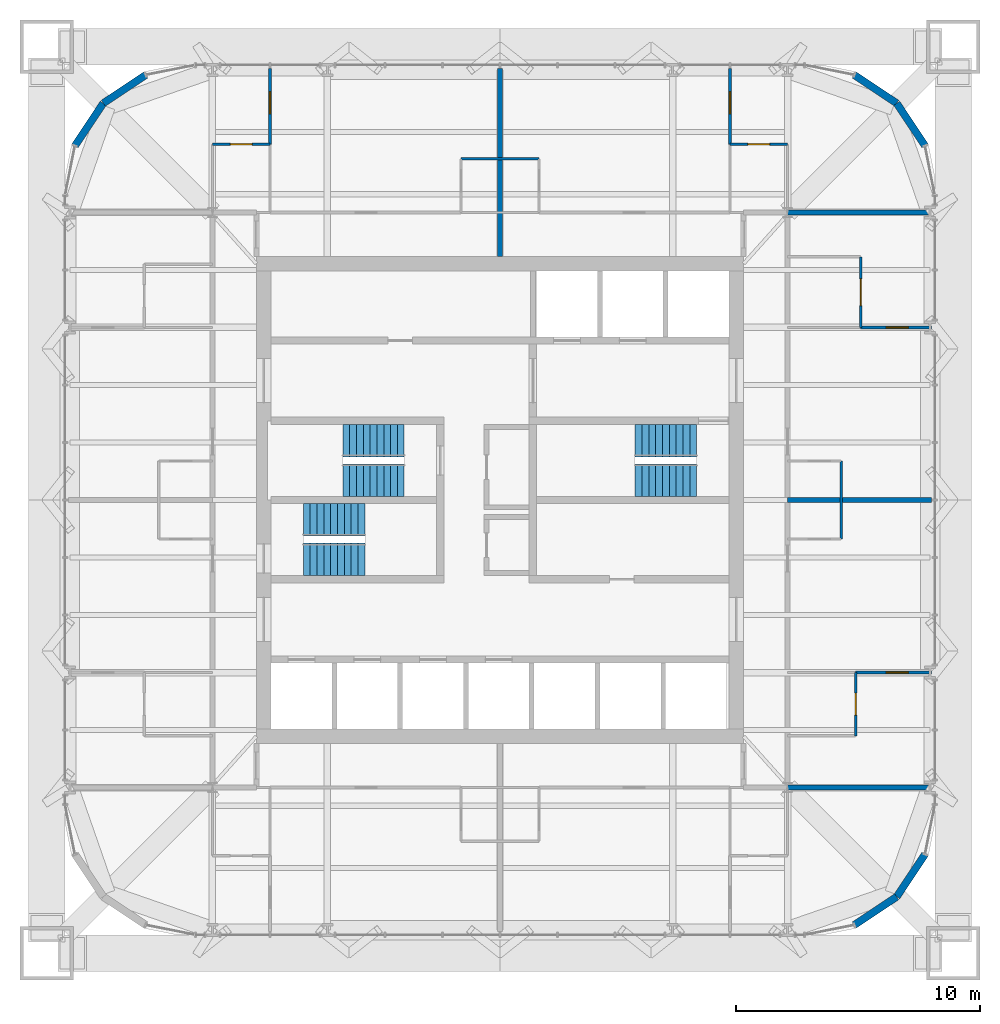
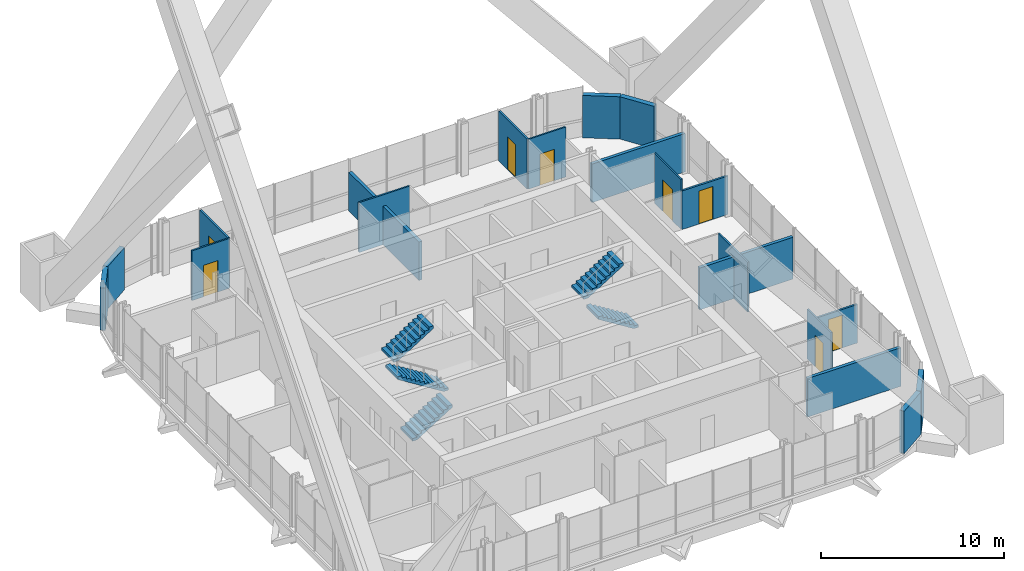
# One storey, part 22 of 23: 20 walls, 8 doors, 6 stair flights, 8 openings, 3 elements without a shape of their own.
"""IFC4 building model written with IfcOpenShell, lengths in metres."""

from ifc_helpers import new_model, si_unit, direction, frame, frame_2d, origin, place, context, subcontext, project, spatial, polyline, rectangle, outline, extrude, material, layer, layer_set, type_object, element, fill, aggregate, save


model = new_model("IFC4")

# Units and contexts
model_context = context("Model", 3, precision=1e-05, world=origin(), true_north=direction((0.0, 1.0)))
body_context = subcontext(model_context, "Body", "Model", "MODEL_VIEW")
ifc_project = project(units=[si_unit("LENGTHUNIT", "METRE"), si_unit("AREAUNIT", "SQUARE_METRE"), si_unit("VOLUMEUNIT", "CUBIC_METRE"), si_unit("PLANEANGLEUNIT", "RADIAN"), si_unit("MASSUNIT", "GRAM", prefix="KILO")], contexts=[model_context])

# Site, building, storey
site_placement = place(None, origin())
site = spatial("IfcSite", under=ifc_project, at=site_placement, CompositionType="ELEMENT")
building_placement = place(site_placement, origin())
building = spatial("IfcBuilding", under=site, at=building_placement, Name="Turquesa Mirador Hotel Tower", CompositionType="ELEMENT")
storey_placement = place(building_placement, frame((0.0, 0.0, 226.699951171875)))
storey = spatial("IfcBuildingStorey", under=building, at=storey_placement, Name="L61", CompositionType="ELEMENT", Elevation=226.699951171875)

# Wall
ifc_material_1 = material(Name="Gypsum board on steel studs", Category="steel")
ifc_layer_1 = layer(ifc_material_1, 0.10009765625)
ifc_layer_set_1 = layer_set([ifc_layer_1], Name="BATHROOM WALL 100")
wall_type_1 = type_object("IfcWallType", Name="BATHROOM WALL 100", PredefinedType="PARTITIONING", material=ifc_layer_set_1)
wall_1_placement = place(storey_placement, frame((53.39990234375, 59.0, 0.0), z_axis=(0.0, 0.0, 1.0), x_axis=(1.0, 0.0, 0.0)))
element("IfcWall", 1, at=wall_1_placement, inside=storey, type_object=wall_type_1, Name="Partition L61 034", PredefinedType="PARTITIONING", context=body_context, shape_type="SweptSolid", body=[
    extrude(rectangle(XDim=3.2001953125, YDim=0.10009765625, at=frame_2d((1.60009765625, 0.0))), origin(), (0.0, 0.0, 1.0), 3.330078125),
])

# Wall, opening, door
wall_2_placement = place(storey_placement, frame((43.199951171875, 59.60009765625, 0.0), z_axis=(0.0, 0.0, 1.0), x_axis=(1.0, 0.0, 0.0)))
wall_2 = element("IfcWall", 2, at=wall_2_placement, inside=storey, type_object=wall_type_1, Name="Partition L61 035", PredefinedType="PARTITIONING", context=body_context, shape_type="SweptSolid", body=[
    extrude(rectangle(XDim=2.360107421875, YDim=0.10009765625, at=frame_2d((1.18017578125, 0.0))), origin(), (0.0, 0.0, 1.0), 3.330078125),
])
opening_1_placement = place(wall_2_placement, frame((0.72998046875, 0.0, 0.0)))
opening_1 = element("IfcOpeningElement", 3, at=opening_1_placement, cuts=wall_2, Name="Opening D02", PredefinedType="OPENING", context=body_context, shape_type="SweptSolid", body=[
    extrude(rectangle(XDim=0.89990234375, YDim=2.10009765625, at=frame_2d((0.449951171875, 1.050048828125))), frame((0.0, 0.06005859375, 0.0), z_axis=(0.0, -1.0, 0.0), x_axis=(1.0, 0.0, 0.0)), (0.0, 0.0, 1.0), 0.1201171875),
])
ifc_material_2 = material(Name="Timber veneered door", Category="wood")
door_type_1 = type_object("IfcDoorType", Name="DOOR 900X2100 EN-SUITE", OperationType="SINGLE_SWING_RIGHT", PredefinedType="DOOR", material=ifc_material_2)
door_1_placement = place(opening_1_placement, origin())
door_1 = element("IfcDoor", 4, at=door_1_placement, inside=storey, type_object=door_type_1, Name="Door 6101B", OperationType="SINGLE_SWING_RIGHT", OverallHeight=2.10009765625, OverallWidth=0.89990234375, PredefinedType="DOOR", context=body_context, shape_type="SweptSolid", body=[
    extrude(rectangle(XDim=0.89990234375, YDim=2.10009765625, at=frame_2d((0.449951171875, 1.050048828125))), frame((0.0, 0.02490234375, 0.0), z_axis=(0.0, -1.0, 0.0), x_axis=(1.0, 0.0, 0.0)), (0.0, 0.0, 1.0), 0.050048828125),
])
fill(opening_1, door_1)

wall_3_placement = place(storey_placement, frame((64.43994140625, 59.60009765625, 0.0), z_axis=(0.0, 0.0, 1.0), x_axis=(1.0, 0.0, 0.0)))
wall_3 = element("IfcWall", 5, at=wall_3_placement, inside=storey, type_object=wall_type_1, Name="Partition L61 036", PredefinedType="PARTITIONING", context=body_context, shape_type="SweptSolid", body=[
    extrude(rectangle(XDim=2.360107421875, YDim=0.10009765625, at=frame_2d((1.18017578125, 0.0))), origin(), (0.0, 0.0, 1.0), 3.330078125),
])
opening_2_placement = place(wall_3_placement, frame((0.72998046875, 0.0, 0.0)))
opening_2 = element("IfcOpeningElement", 6, at=opening_2_placement, cuts=wall_3, Name="Opening D02", PredefinedType="OPENING", context=body_context, shape_type="SweptSolid", body=[
    extrude(rectangle(XDim=0.89990234375, YDim=2.10009765625, at=frame_2d((0.449951171875, 1.050048828125))), frame((0.0, 0.06005859375, 0.0), z_axis=(0.0, -1.0, 0.0), x_axis=(1.0, 0.0, 0.0)), (0.0, 0.0, 1.0), 0.1201171875),
])
door_2_placement = place(opening_2_placement, origin())
door_2 = element("IfcDoor", 7, at=door_2_placement, inside=storey, type_object=door_type_1, Name="Door 6102B", OperationType="SINGLE_SWING_RIGHT", OverallHeight=2.10009765625, OverallWidth=0.89990234375, PredefinedType="DOOR", context=body_context, shape_type="SweptSolid", body=[
    extrude(rectangle(XDim=0.89990234375, YDim=2.10009765625, at=frame_2d((0.449951171875, 1.050048828125))), frame((0.0, 0.02490234375, 0.0), z_axis=(0.0, -1.0, 0.0), x_axis=(1.0, 0.0, 0.0)), (0.0, 0.0, 1.0), 0.050048828125),
])
fill(opening_2, door_2)

# Wall
wall_4_placement = place(storey_placement, frame((69.0, 43.39990234375, 0.0), z_axis=(0.0, 0.0, 1.0), x_axis=(0.0, 1.0, 0.0)))
element("IfcWall", 8, at=wall_4_placement, inside=storey, type_object=wall_type_1, Name="Partition L61 066", PredefinedType="PARTITIONING", context=body_context, shape_type="SweptSolid", body=[
    extrude(rectangle(XDim=3.2001953125, YDim=0.10009765625, at=frame_2d((1.60009765625, 0.0))), origin(), (0.0, 0.0, 1.0), 3.330078125),
])

# Wall, opening, door
wall_5_placement = place(storey_placement, frame((69.60009765625, 35.320068359375, 0.0), z_axis=(0.0, 0.0, 1.0), x_axis=(0.0, 1.0, 0.0)))
wall_5 = element("IfcWall", 9, at=wall_5_placement, inside=storey, type_object=wall_type_1, Name="Partition L61 067", PredefinedType="PARTITIONING", context=body_context, shape_type="SweptSolid", body=[
    extrude(rectangle(XDim=2.599853515625, YDim=0.10009765625, at=frame_2d((1.2998046875, 0.0))), origin(), (0.0, 0.0, 1.0), 3.330078125),
])
opening_3_placement = place(wall_5_placement, frame((0.85009765625, 0.0, 0.0)))
opening_3 = element("IfcOpeningElement", 10, at=opening_3_placement, cuts=wall_5, Name="Opening D02", PredefinedType="OPENING", context=body_context, shape_type="SweptSolid", body=[
    extrude(rectangle(XDim=0.89990234375, YDim=2.10009765625, at=frame_2d((0.449951171875, 1.050048828125))), frame((0.0, 0.06005859375, 0.0), z_axis=(0.0, -1.0, 0.0), x_axis=(1.0, 0.0, 0.0)), (0.0, 0.0, 1.0), 0.1201171875),
])
door_3_placement = place(opening_3_placement, origin())
door_3 = element("IfcDoor", 11, at=door_3_placement, inside=storey, type_object=door_type_1, Name="Door 6105B", OperationType="SINGLE_SWING_RIGHT", OverallHeight=2.10009765625, OverallWidth=0.89990234375, PredefinedType="DOOR", context=body_context, shape_type="SweptSolid", body=[
    extrude(rectangle(XDim=0.89990234375, YDim=2.10009765625, at=frame_2d((0.449951171875, 1.050048828125))), frame((0.0, 0.02490234375, 0.0), z_axis=(0.0, -1.0, 0.0), x_axis=(1.0, 0.0, 0.0)), (0.0, 0.0, 1.0), 0.050048828125),
])
fill(opening_3, door_3)

wall_6_placement = place(storey_placement, frame((69.800048828125, 52.080078125, 0.0), z_axis=(0.0, 0.0, 1.0), x_axis=(0.0, 1.0, 0.0)))
wall_6 = element("IfcWall", 12, at=wall_6_placement, inside=storey, type_object=wall_type_1, Name="Partition L61 068", PredefinedType="PARTITIONING", context=body_context, shape_type="SweptSolid", body=[
    extrude(rectangle(XDim=2.89990234375, YDim=0.10009765625, at=frame_2d((1.449951171875, 0.0))), origin(), (0.0, 0.0, 1.0), 3.330078125),
])
opening_4_placement = place(wall_6_placement, frame((0.89990234375, 0.0, 0.0)))
opening_4 = element("IfcOpeningElement", 13, at=opening_4_placement, cuts=wall_6, Name="Opening D16", PredefinedType="OPENING", context=body_context, shape_type="SweptSolid", body=[
    extrude(rectangle(XDim=1.10009765625, YDim=2.10009765625, at=frame_2d((0.550048828125, 1.050048828125))), frame((0.0, 0.06005859375, 0.0), z_axis=(0.0, -1.0, 0.0), x_axis=(1.0, 0.0, 0.0)), (0.0, 0.0, 1.0), 0.1201171875),
])
ifc_material_3 = material(Name="Timber veneered sliding door", Category="wood")
door_type_2 = type_object("IfcDoorType", Name="DOOR 1100X2100 ACCESSIBLE EN-SUITE", OperationType="SLIDING_TO_LEFT", PredefinedType="DOOR", material=ifc_material_3)
door_4_placement = place(opening_4_placement, origin())
door_4 = element("IfcDoor", 14, at=door_4_placement, inside=storey, type_object=door_type_2, Name="Door 6106B", OperationType="SLIDING_TO_LEFT", OverallHeight=2.10009765625, OverallWidth=1.10009765625, PredefinedType="DOOR", context=body_context, shape_type="SweptSolid", body=[
    extrude(rectangle(XDim=1.10009765625, YDim=2.10009765625, at=frame_2d((0.550048828125, 1.050048828125))), frame((0.0, 0.02490234375, 0.0), z_axis=(0.0, -1.0, 0.0), x_axis=(1.0, 0.0, 0.0)), (0.0, 0.0, 1.0), 0.050048828125),
])
fill(opening_4, door_4)

# Walls
ifc_material_4 = material(Name="Limestone cladding on concrete block", Category="masonry")
ifc_layer_2 = layer(ifc_material_4, 0.300048828125)
ifc_layer_set_2 = layer_set([ifc_layer_2], Name="FACADE WALL 300 STONE PIER")
wall_type_2 = type_object("IfcWallType", Name="FACADE WALL 300 STONE PIER", PredefinedType="SOLIDWALL", material=ifc_layer_set_2)
for number, where, z_axis, x_axis, name in (
    (15, (69.54736328125, 27.55712890625, 0.0), (0.0, 0.0, 1.0), (0.831420010345, 0.555644460423, 0.0), "Facade wall L61 bay CWS-L61-00 01"),
    (16, (71.282958984375, 28.717041015625, 0.0), (0.0, 0.0, 1.0), (0.555644460423, 0.831420010345, 0.0), "Facade wall L61 bay CWS-L61-00 02"),
    (17, (72.44287109375, 59.54736328125, 0.0), (0.0, 0.0, 1.0), (-0.555644460423, 0.831420010345, 0.0), "Facade wall L61 bay CWS-L61-02 01"),
    (18, (71.282958984375, 61.282958984375, 0.0), (0.0, 0.0, 1.0), (-0.831420010345, 0.555644460423, 0.0), "Facade wall L61 bay CWS-L61-02 02"),
    (19, (40.45263671875, 62.44287109375, 0.0), (0.0, 0.0, 1.0), (-0.831420010345, -0.555644460423, 0.0), "Facade wall L61 bay CWS-L61-04 01"),
    (20, (38.717041015625, 61.282958984375, 0.0), (0.0, 0.0, 1.0), (-0.555644460423, -0.831420010345, 0.0), "Facade wall L61 bay CWS-L61-04 02"),
):
    element("IfcWall", number, at=place(storey_placement, frame(where, z_axis=z_axis, x_axis=x_axis)), inside=storey, type_object=wall_type_2, Name=name, PredefinedType="SOLIDWALL", context=body_context, shape_type="SweptSolid", body=[
        extrude(rectangle(XDim=2.08740234375, YDim=0.300048828125, at=frame_2d((1.043701171875, 0.0))), origin(), (0.0, 0.0, 1.0), 2.830078125),
    ])
ifc_material_5 = material(Name="Fire-rated gypsum board on steel studs", Category="steel")
ifc_layer_3 = layer(ifc_material_5, 0.199951171875)
ifc_layer_set_3 = layer_set([ifc_layer_3], Name="PARTY WALL 200")
wall_type_3 = type_object("IfcWallType", Name="PARTY WALL 200", PredefinedType="PARTITIONING", material=ifc_layer_set_3)
wall_7_placement = place(storey_placement, frame((66.800048828125, 33.199951171875, 0.0), z_axis=(0.0, 0.0, 1.0), x_axis=(1.0, 0.0, 0.0)))
element("IfcWall", 21, at=wall_7_placement, inside=storey, type_object=wall_type_3, Name="Partition L61 009", PredefinedType="PARTITIONING", context=body_context, shape_type="SweptSolid", body=[
    extrude(rectangle(XDim=5.89990234375, YDim=0.199951171875, at=frame_2d((2.949951171875, 0.0))), origin(), (0.0, 0.0, 1.0), 2.5732421875),
])
wall_8_placement = place(storey_placement, frame((66.800048828125, 45.0, 0.0), z_axis=(0.0, 0.0, 1.0), x_axis=(1.0, 0.0, 0.0)))
element("IfcWall", 22, at=wall_8_placement, inside=storey, type_object=wall_type_3, Name="Partition L61 022", PredefinedType="PARTITIONING", context=body_context, shape_type="SweptSolid", body=[
    extrude(rectangle(XDim=5.89990234375, YDim=0.199951171875, at=frame_2d((2.949951171875, 0.0))), origin(), (0.0, 0.0, 1.0), 2.796630859375),
])
wall_9_placement = place(storey_placement, frame((66.800048828125, 56.800048828125, 0.0), z_axis=(0.0, 0.0, 1.0), x_axis=(1.0, 0.0, 0.0)))
element("IfcWall", 23, at=wall_9_placement, inside=storey, type_object=wall_type_3, Name="Partition L61 031", PredefinedType="PARTITIONING", context=body_context, shape_type="SweptSolid", body=[
    extrude(rectangle(XDim=5.89990234375, YDim=0.199951171875, at=frame_2d((2.949951171875, 0.0))), origin(), (0.0, 0.0, 1.0), 2.5732421875),
])
wall_10_placement = place(storey_placement, frame((55.0, 55.0, 0.0), z_axis=(0.0, 0.0, 1.0), x_axis=(0.0, 1.0, 0.0)))
element("IfcWall", 24, at=wall_10_placement, inside=storey, type_object=wall_type_3, Name="Partition L61 058", PredefinedType="PARTITIONING", context=body_context, shape_type="SweptSolid", body=[
    extrude(rectangle(XDim=7.699951171875, YDim=0.199951171875, at=frame_2d((3.85009765625, 0.0))), origin(), (0.0, 0.0, 1.0), 2.5732421875),
])

# Wall, opening, door
ifc_material_6 = material(Name="Acoustic gypsum board on steel studs", Category="steel")
ifc_layer_4 = layer(ifc_material_6, 0.125)
ifc_layer_set_4 = layer_set([ifc_layer_4], Name="SUITE PARTITION 125")
wall_type_4 = type_object("IfcWallType", Name="SUITE PARTITION 125", PredefinedType="PARTITIONING", material=ifc_layer_set_4)
wall_11_placement = place(storey_placement, frame((69.60009765625, 37.919921875, 0.0), z_axis=(0.0, 0.0, 1.0), x_axis=(1.0, 0.0, 0.0)))
wall_11 = element("IfcWall", 25, at=wall_11_placement, inside=storey, type_object=wall_type_4, Name="Partition L61 018", PredefinedType="PARTITIONING", context=body_context, shape_type="SweptSolid", body=[
    extrude(rectangle(XDim=3.099853515625, YDim=0.125, at=frame_2d((1.5498046875, 0.0))), origin(), (0.0, 0.0, 1.0), 2.5732421875),
])
opening_5_placement = place(wall_11_placement, frame((1.25, 0.0, 0.0)))
opening_5 = element("IfcOpeningElement", 26, at=opening_5_placement, cuts=wall_11, Name="Opening D17", PredefinedType="OPENING", context=body_context, shape_type="SweptSolid", body=[
    extrude(rectangle(XDim=0.89990234375, YDim=2.199951171875, at=frame_2d((0.449951171875, 1.10009765625))), frame((0.0, 0.072509765625, 0.0), z_axis=(0.0, -1.0, 0.0), x_axis=(1.0, 0.0, 0.0)), (0.0, 0.0, 1.0), 0.14501953125),
])
ifc_material_7 = material(Name="Timber veneered door", Category="wood")
door_type_3 = type_object("IfcDoorType", Name="DOOR 900X2200 SUITE INTERNAL", OperationType="SINGLE_SWING_LEFT", PredefinedType="DOOR", material=ifc_material_7)
door_5_placement = place(opening_5_placement, origin())
door_5 = element("IfcDoor", 27, at=door_5_placement, inside=storey, type_object=door_type_3, Name="Door 6105R", OperationType="SINGLE_SWING_LEFT", OverallHeight=2.199951171875, OverallWidth=0.89990234375, PredefinedType="DOOR", context=body_context, shape_type="SweptSolid", body=[
    extrude(rectangle(XDim=0.89990234375, YDim=2.199951171875, at=frame_2d((0.449951171875, 1.10009765625))), frame((0.0, 0.02490234375, 0.0), z_axis=(0.0, -1.0, 0.0), x_axis=(1.0, 0.0, 0.0)), (0.0, 0.0, 1.0), 0.050048828125),
])
fill(opening_5, door_5)

wall_12_placement = place(storey_placement, frame((69.800048828125, 52.080078125, 0.0), z_axis=(0.0, 0.0, 1.0), x_axis=(1.0, 0.0, 0.0)))
wall_12 = element("IfcWall", 28, at=wall_12_placement, inside=storey, type_object=wall_type_4, Name="Partition L61 040", PredefinedType="PARTITIONING", context=body_context, shape_type="SweptSolid", body=[
    extrude(rectangle(XDim=2.89990234375, YDim=0.125, at=frame_2d((1.449951171875, 0.0))), origin(), (0.0, 0.0, 1.0), 2.5732421875),
])
opening_6_placement = place(wall_12_placement, frame((1.050048828125, 0.0, 0.0)))
opening_6 = element("IfcOpeningElement", 29, at=opening_6_placement, cuts=wall_12, Name="Opening D17", PredefinedType="OPENING", context=body_context, shape_type="SweptSolid", body=[
    extrude(rectangle(XDim=0.89990234375, YDim=2.199951171875, at=frame_2d((0.449951171875, 1.10009765625))), frame((0.0, 0.072509765625, 0.0), z_axis=(0.0, -1.0, 0.0), x_axis=(1.0, 0.0, 0.0)), (0.0, 0.0, 1.0), 0.14501953125),
])
door_6_placement = place(opening_6_placement, origin())
door_6 = element("IfcDoor", 30, at=door_6_placement, inside=storey, type_object=door_type_3, Name="Door 6106R", OperationType="SINGLE_SWING_LEFT", OverallHeight=2.199951171875, OverallWidth=0.89990234375, PredefinedType="DOOR", context=body_context, shape_type="SweptSolid", body=[
    extrude(rectangle(XDim=0.89990234375, YDim=2.199951171875, at=frame_2d((0.449951171875, 1.10009765625))), frame((0.0, 0.02490234375, 0.0), z_axis=(0.0, -1.0, 0.0), x_axis=(1.0, 0.0, 0.0)), (0.0, 0.0, 1.0), 0.050048828125),
])
fill(opening_6, door_6)

wall_13_placement = place(storey_placement, frame((45.56005859375, 59.60009765625, 0.0), z_axis=(0.0, 0.0, 1.0), x_axis=(0.0, 1.0, 0.0)))
wall_13 = element("IfcWall", 31, at=wall_13_placement, inside=storey, type_object=wall_type_4, Name="Partition L61 056", PredefinedType="PARTITIONING", context=body_context, shape_type="SweptSolid", body=[
    extrude(rectangle(XDim=3.099853515625, YDim=0.125, at=frame_2d((1.5498046875, 0.0))), origin(), (0.0, 0.0, 1.0), 3.330078125),
])
opening_7_placement = place(wall_13_placement, frame((1.25, 0.0, 0.0)))
opening_7 = element("IfcOpeningElement", 32, at=opening_7_placement, cuts=wall_13, Name="Opening D17", PredefinedType="OPENING", context=body_context, shape_type="SweptSolid", body=[
    extrude(rectangle(XDim=0.89990234375, YDim=2.199951171875, at=frame_2d((0.449951171875, 1.10009765625))), frame((0.0, 0.072509765625, 0.0), z_axis=(0.0, -1.0, 0.0), x_axis=(1.0, 0.0, 0.0)), (0.0, 0.0, 1.0), 0.14501953125),
])
door_7_placement = place(opening_7_placement, origin())
door_7 = element("IfcDoor", 33, at=door_7_placement, inside=storey, type_object=door_type_3, Name="Door 6101R", OperationType="SINGLE_SWING_LEFT", OverallHeight=2.199951171875, OverallWidth=0.89990234375, PredefinedType="DOOR", context=body_context, shape_type="SweptSolid", body=[
    extrude(rectangle(XDim=0.89990234375, YDim=2.199951171875, at=frame_2d((0.449951171875, 1.10009765625))), frame((0.0, 0.02490234375, 0.0), z_axis=(0.0, -1.0, 0.0), x_axis=(1.0, 0.0, 0.0)), (0.0, 0.0, 1.0), 0.050048828125),
])
fill(opening_7, door_7)

wall_14_placement = place(storey_placement, frame((64.43994140625, 59.60009765625, 0.0), z_axis=(0.0, 0.0, 1.0), x_axis=(0.0, 1.0, 0.0)))
wall_14 = element("IfcWall", 34, at=wall_14_placement, inside=storey, type_object=wall_type_4, Name="Partition L61 072", PredefinedType="PARTITIONING", context=body_context, shape_type="SweptSolid", body=[
    extrude(rectangle(XDim=3.099853515625, YDim=0.125, at=frame_2d((1.5498046875, 0.0))), origin(), (0.0, 0.0, 1.0), 3.330078125),
])
opening_8_placement = place(wall_14_placement, frame((1.25, 0.0, 0.0)))
opening_8 = element("IfcOpeningElement", 35, at=opening_8_placement, cuts=wall_14, Name="Opening D17", PredefinedType="OPENING", context=body_context, shape_type="SweptSolid", body=[
    extrude(rectangle(XDim=0.89990234375, YDim=2.199951171875, at=frame_2d((0.449951171875, 1.10009765625))), frame((0.0, 0.072509765625, 0.0), z_axis=(0.0, -1.0, 0.0), x_axis=(1.0, 0.0, 0.0)), (0.0, 0.0, 1.0), 0.14501953125),
])
door_8_placement = place(opening_8_placement, origin())
door_8 = element("IfcDoor", 36, at=door_8_placement, inside=storey, type_object=door_type_3, Name="Door 6102R", OperationType="SINGLE_SWING_LEFT", OverallHeight=2.199951171875, OverallWidth=0.89990234375, PredefinedType="DOOR", context=body_context, shape_type="SweptSolid", body=[
    extrude(rectangle(XDim=0.89990234375, YDim=2.199951171875, at=frame_2d((0.449951171875, 1.10009765625))), frame((0.0, 0.02490234375, 0.0), z_axis=(0.0, -1.0, 0.0), x_axis=(1.0, 0.0, 0.0)), (0.0, 0.0, 1.0), 0.050048828125),
])
fill(opening_8, door_8)

# Stair, stair flights
ifc_material_8 = material(Name="Concrete C35/45", Category="concrete")
stair_type = type_object("IfcStairType", Name="ESCAPE STAIR CORE", PredefinedType="HALF_TURN_STAIR", material=ifc_material_8)
stair_1_placement = place(storey_placement, origin())
stair_1 = element("IfcStair", 37, at=stair_1_placement, inside=storey, type_object=stair_type, Name="Stair ST1 L61 to L62", PredefinedType="HALF_TURN_STAIR")
ifc_material_9 = material(Name="Concrete C35/45 precast flight", Category="concrete")
stair_flight_type = type_object("IfcStairFlightType", Name="STAIR FLIGHT 1330", PredefinedType="STRAIGHT", material=ifc_material_9)
stair_flight_1_placement = place(storey_placement, frame((51.070068359375, 45.81494140625, 0.0), z_axis=(0.0, 0.0, 1.0), x_axis=(-1.0, 0.0, 0.0)))
stair_flight_1 = element("IfcStairFlight", 38, at=stair_flight_1_placement, type_object=stair_flight_type, Name="ST1 flight 1", NumberOfRisers=10, NumberOfTreads=9, PredefinedType="STRAIGHT", RiserHeight=0.175, TreadLength=0.28, context=body_context, shape_type="SweptSolid", body=[
    extrude(outline(polyline([(0.0, 0.0), (0.0, 0.175048828125), (0.280029296875, 0.175048828125), (0.280029296875, 0.35009765625), (0.56005859375, 0.35009765625), (0.56005859375, 0.52490234375), (0.840087890625, 0.52490234375), (0.840087890625, 0.699951171875), (1.1201171875, 0.699951171875), (1.1201171875, 0.875), (1.39990234375, 0.875), (1.39990234375, 1.050048828125), (1.679931640625, 1.050048828125), (1.679931640625, 1.22509765625), (1.9599609375, 1.22509765625), (1.9599609375, 1.39990234375), (2.239990234375, 1.39990234375), (2.239990234375, 1.574951171875), (2.52001953125, 1.574951171875), (2.52001953125, 1.75), (2.52001953125, 1.398193359375), (0.28271484375, 0.0), (0.0, 0.0)])), frame((0.0, 0.6650390625, 0.0), z_axis=(0.0, -1.0, 0.0), x_axis=(1.0, 0.0, 0.0)), (0.0, 0.0, 1.0), 1.330078125),
])
stair_flight_2_placement = place(storey_placement, frame((48.550048828125, 47.43505859375, 1.75), z_axis=(0.0, 0.0, 1.0), x_axis=(1.0, 0.0, 0.0)))
stair_flight_2 = element("IfcStairFlight", 39, at=stair_flight_2_placement, type_object=stair_flight_type, Name="ST1 flight 2", NumberOfRisers=10, NumberOfTreads=9, PredefinedType="STRAIGHT", RiserHeight=0.175, TreadLength=0.28, context=body_context, shape_type="SweptSolid", body=[
    extrude(outline(polyline([(0.0, 0.0), (0.0, 0.175048828125), (0.280029296875, 0.175048828125), (0.280029296875, 0.35009765625), (0.56005859375, 0.35009765625), (0.56005859375, 0.52490234375), (0.840087890625, 0.52490234375), (0.840087890625, 0.699951171875), (1.1201171875, 0.699951171875), (1.1201171875, 0.875), (1.39990234375, 0.875), (1.39990234375, 1.050048828125), (1.679931640625, 1.050048828125), (1.679931640625, 1.22509765625), (1.9599609375, 1.22509765625), (1.9599609375, 1.39990234375), (2.239990234375, 1.39990234375), (2.239990234375, 1.574951171875), (2.52001953125, 1.574951171875), (2.52001953125, 1.75), (2.52001953125, 1.398193359375), (0.28271484375, 0.0), (0.0, 0.0)])), frame((0.0, 0.6650390625, 0.0), z_axis=(0.0, -1.0, 0.0), x_axis=(1.0, 0.0, 0.0)), (0.0, 0.0, 1.0), 1.330078125),
])
aggregate(stair_1, [stair_flight_1, stair_flight_2])

stair_2_placement = place(storey_placement, origin())
stair_2 = element("IfcStair", 40, at=stair_2_placement, inside=storey, type_object=stair_type, Name="Stair ST2 L61 to L62", PredefinedType="HALF_TURN_STAIR")
stair_flight_3_placement = place(storey_placement, frame((46.929931640625, 42.56494140625, 0.0), z_axis=(0.0, 0.0, 1.0), x_axis=(1.0, 0.0, 0.0)))
stair_flight_3 = element("IfcStairFlight", 41, at=stair_flight_3_placement, type_object=stair_flight_type, Name="ST2 flight 1", NumberOfRisers=10, NumberOfTreads=9, PredefinedType="STRAIGHT", RiserHeight=0.175, TreadLength=0.28, context=body_context, shape_type="SweptSolid", body=[
    extrude(outline(polyline([(0.0, 0.0), (0.0, 0.175048828125), (0.280029296875, 0.175048828125), (0.280029296875, 0.35009765625), (0.56005859375, 0.35009765625), (0.56005859375, 0.52490234375), (0.840087890625, 0.52490234375), (0.840087890625, 0.699951171875), (1.1201171875, 0.699951171875), (1.1201171875, 0.875), (1.39990234375, 0.875), (1.39990234375, 1.050048828125), (1.679931640625, 1.050048828125), (1.679931640625, 1.22509765625), (1.9599609375, 1.22509765625), (1.9599609375, 1.39990234375), (2.239990234375, 1.39990234375), (2.239990234375, 1.574951171875), (2.52001953125, 1.574951171875), (2.52001953125, 1.75), (2.52001953125, 1.398193359375), (0.28271484375, 0.0), (0.0, 0.0)])), frame((0.0, 0.6650390625, 0.0), z_axis=(0.0, -1.0, 0.0), x_axis=(1.0, 0.0, 0.0)), (0.0, 0.0, 1.0), 1.330078125),
])
stair_flight_4_placement = place(storey_placement, frame((49.449951171875, 44.18505859375, 1.75), z_axis=(0.0, 0.0, 1.0), x_axis=(-1.0, 0.0, 0.0)))
stair_flight_4 = element("IfcStairFlight", 42, at=stair_flight_4_placement, type_object=stair_flight_type, Name="ST2 flight 2", NumberOfRisers=10, NumberOfTreads=9, PredefinedType="STRAIGHT", RiserHeight=0.175, TreadLength=0.28, context=body_context, shape_type="SweptSolid", body=[
    extrude(outline(polyline([(0.0, 0.0), (0.0, 0.175048828125), (0.280029296875, 0.175048828125), (0.280029296875, 0.35009765625), (0.56005859375, 0.35009765625), (0.56005859375, 0.52490234375), (0.840087890625, 0.52490234375), (0.840087890625, 0.699951171875), (1.1201171875, 0.699951171875), (1.1201171875, 0.875), (1.39990234375, 0.875), (1.39990234375, 1.050048828125), (1.679931640625, 1.050048828125), (1.679931640625, 1.22509765625), (1.9599609375, 1.22509765625), (1.9599609375, 1.39990234375), (2.239990234375, 1.39990234375), (2.239990234375, 1.574951171875), (2.52001953125, 1.574951171875), (2.52001953125, 1.75), (2.52001953125, 1.398193359375), (0.28271484375, 0.0), (0.0, 0.0)])), frame((0.0, 0.6650390625, 0.0), z_axis=(0.0, -1.0, 0.0), x_axis=(1.0, 0.0, 0.0)), (0.0, 0.0, 1.0), 1.330078125),
])
aggregate(stair_2, [stair_flight_3, stair_flight_4])

stair_3_placement = place(storey_placement, origin())
stair_3 = element("IfcStair", 43, at=stair_3_placement, inside=storey, type_object=stair_type, Name="Stair ST3 L61 to L62", PredefinedType="HALF_TURN_STAIR")
stair_flight_5_placement = place(storey_placement, frame((63.070068359375, 45.81494140625, 0.0), z_axis=(0.0, 0.0, 1.0), x_axis=(-1.0, 0.0, 0.0)))
stair_flight_5 = element("IfcStairFlight", 44, at=stair_flight_5_placement, type_object=stair_flight_type, Name="ST3 flight 1", NumberOfRisers=10, NumberOfTreads=9, PredefinedType="STRAIGHT", RiserHeight=0.175, TreadLength=0.28, context=body_context, shape_type="SweptSolid", body=[
    extrude(outline(polyline([(0.0, 0.0), (0.0, 0.175048828125), (0.280029296875, 0.175048828125), (0.280029296875, 0.35009765625), (0.56005859375, 0.35009765625), (0.56005859375, 0.52490234375), (0.840087890625, 0.52490234375), (0.840087890625, 0.699951171875), (1.1201171875, 0.699951171875), (1.1201171875, 0.875), (1.39990234375, 0.875), (1.39990234375, 1.050048828125), (1.679931640625, 1.050048828125), (1.679931640625, 1.22509765625), (1.9599609375, 1.22509765625), (1.9599609375, 1.39990234375), (2.239990234375, 1.39990234375), (2.239990234375, 1.574951171875), (2.52001953125, 1.574951171875), (2.52001953125, 1.75), (2.52001953125, 1.398193359375), (0.28271484375, 0.0), (0.0, 0.0)])), frame((0.0, 0.6650390625, 0.0), z_axis=(0.0, -1.0, 0.0), x_axis=(1.0, 0.0, 0.0)), (0.0, 0.0, 1.0), 1.330078125),
])
stair_flight_6_placement = place(storey_placement, frame((60.550048828125, 47.43505859375, 1.75), z_axis=(0.0, 0.0, 1.0), x_axis=(1.0, 0.0, 0.0)))
stair_flight_6 = element("IfcStairFlight", 45, at=stair_flight_6_placement, type_object=stair_flight_type, Name="ST3 flight 2", NumberOfRisers=10, NumberOfTreads=9, PredefinedType="STRAIGHT", RiserHeight=0.175, TreadLength=0.28, context=body_context, shape_type="SweptSolid", body=[
    extrude(outline(polyline([(0.0, 0.0), (0.0, 0.175048828125), (0.280029296875, 0.175048828125), (0.280029296875, 0.35009765625), (0.56005859375, 0.35009765625), (0.56005859375, 0.52490234375), (0.840087890625, 0.52490234375), (0.840087890625, 0.699951171875), (1.1201171875, 0.699951171875), (1.1201171875, 0.875), (1.39990234375, 0.875), (1.39990234375, 1.050048828125), (1.679931640625, 1.050048828125), (1.679931640625, 1.22509765625), (1.9599609375, 1.22509765625), (1.9599609375, 1.39990234375), (2.239990234375, 1.39990234375), (2.239990234375, 1.574951171875), (2.52001953125, 1.574951171875), (2.52001953125, 1.75), (2.52001953125, 1.398193359375), (0.28271484375, 0.0), (0.0, 0.0)])), frame((0.0, 0.6650390625, 0.0), z_axis=(0.0, -1.0, 0.0), x_axis=(1.0, 0.0, 0.0)), (0.0, 0.0, 1.0), 1.330078125),
])
aggregate(stair_3, [stair_flight_5, stair_flight_6])

save(model, "model.ifc")
